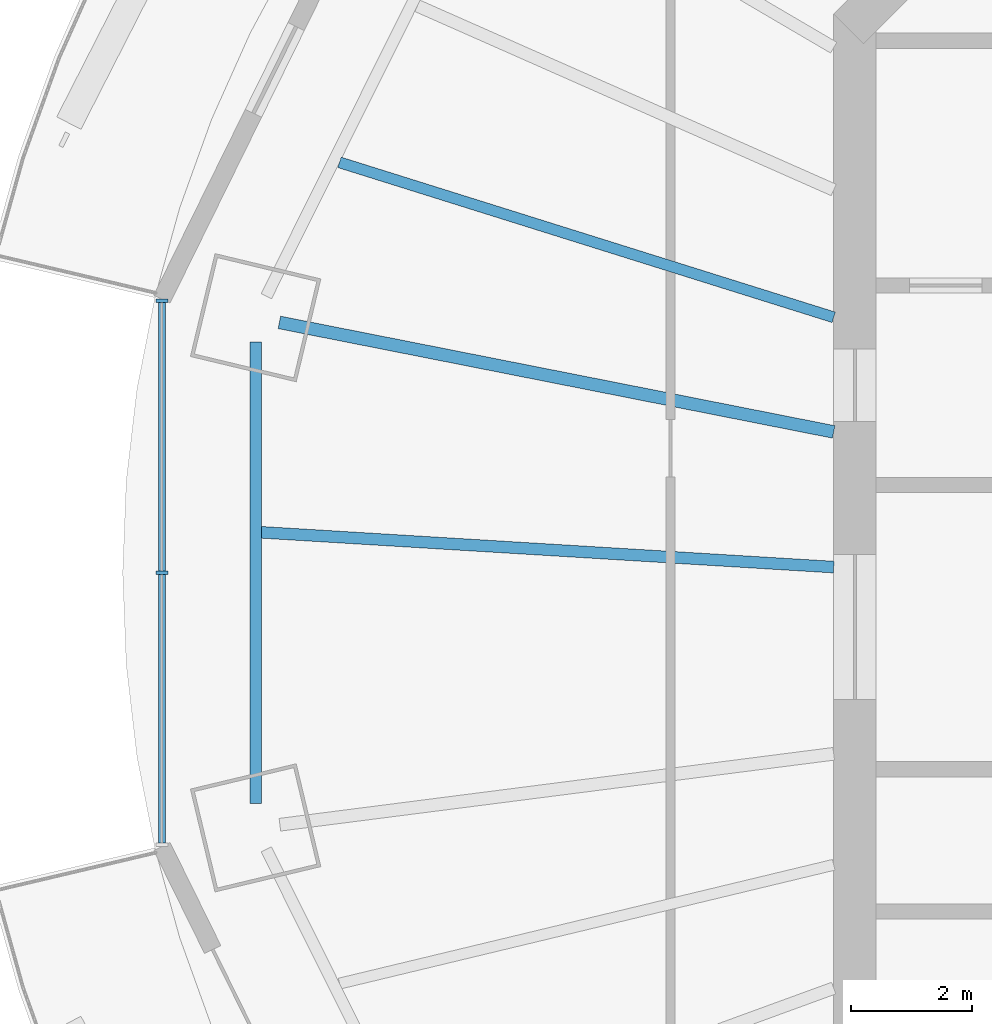
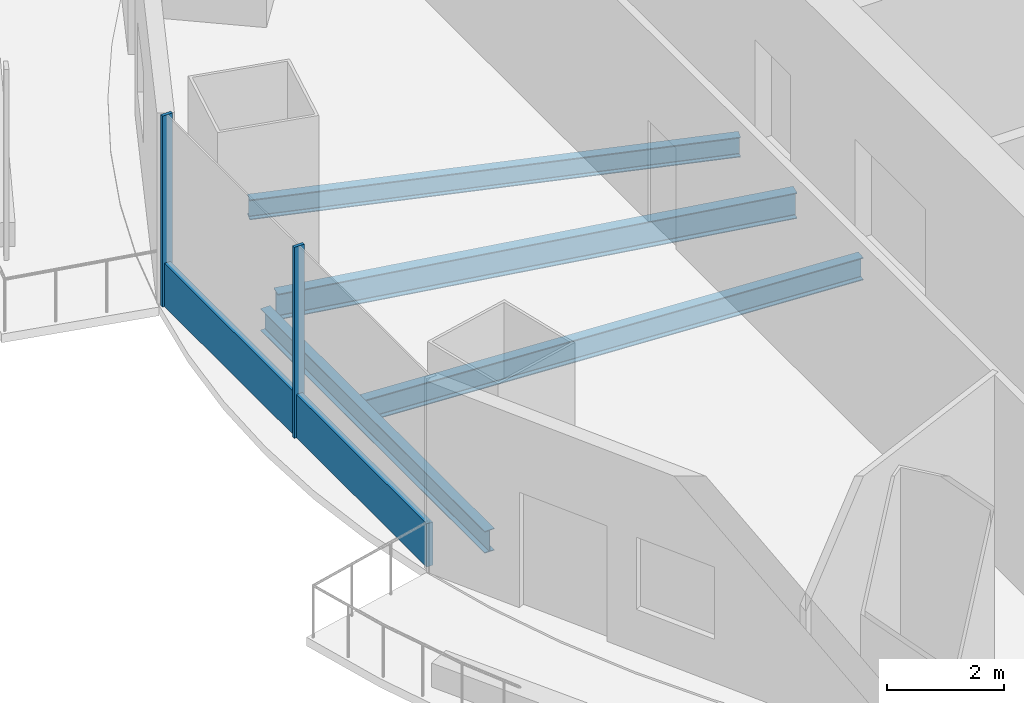
# One storey, part 3 of 16: 4 beams, 3 members, 1 element without a shape of its own.
"""IFC4 building model written with IfcOpenShell, lengths in metres."""

from ifc_helpers import new_model, si_unit, direction, frame, origin, origin_2d, place, context, subcontext, project, spatial, rectangle, i_section, extrude, material, material_profile, profile_set, type_object, element, aggregate, save


model = new_model("IFC4")

# Units and contexts
model_context = context("Model", 3, precision=1e-05, world=origin(), true_north=direction((0.0, 1.0)))
body_context = subcontext(model_context, "Body", "Model", "MODEL_VIEW")
ifc_project = project(units=[si_unit("LENGTHUNIT", "METRE"), si_unit("AREAUNIT", "SQUARE_METRE"), si_unit("VOLUMEUNIT", "CUBIC_METRE"), si_unit("PLANEANGLEUNIT", "RADIAN"), si_unit("MASSUNIT", "GRAM", prefix="KILO")], contexts=[model_context])

# Site, building, storey
site_placement = place(None, origin())
site = spatial("IfcSite", under=ifc_project, at=site_placement, CompositionType="ELEMENT")
building_placement = place(site_placement, origin())
building = spatial("IfcBuilding", under=site, at=building_placement, Name="Marenthal Gate Tower", CompositionType="ELEMENT")
storey_placement = place(building_placement, frame((0.0, 0.0, 326.0)))
storey = spatial("IfcBuildingStorey", under=building, at=storey_placement, Name="L73", CompositionType="ELEMENT", Elevation=326.0)

# Curtain wall, members
ifc_material_1 = material(Name="Aluminium and glass", Category="aluminium")
curtain_wall_type = type_object("IfcCurtainWallType", Name="Curtain wall typical high", PredefinedType="NOTDEFINED", material=ifc_material_1)
curtain_wall_placement = place(storey_placement, origin())
curtain_wall = element("IfcCurtainWall", 1, at=curtain_wall_placement, inside=storey, type_object=curtain_wall_type, Name="Curtain wall L73 bay 8", PredefinedType="NOTDEFINED")
ifc_material_2 = material(Name="Aluminium", Category="aluminium")
ifc_material_profile_1 = material_profile(ifc_material_2, rectangle(XDim=0.199951171875, YDim=0.06005859375, at=origin_2d()), Name="60x200 aluminium mullion")
ifc_profile_set_1 = profile_set([ifc_material_profile_1], Name="Aluminium")
member_type_1 = type_object("IfcMemberType", Name="Mullion 60x200 typical high", PredefinedType="MULLION", material=ifc_profile_set_1)
member_1_placement = place(storey_placement, frame((-27.4619140625, 5.3974609375, 0.0), z_axis=(0.0, 0.0, 1.0), x_axis=(1.0, 0.0, 0.0)))
member_1 = element("IfcMember", 2, at=member_1_placement, type_object=member_type_1, Name="Mullion L73 bay 8.1", PredefinedType="MULLION", context=body_context, shape_type="SweptSolid", body=[
    extrude(rectangle(XDim=0.199951171875, YDim=0.06005859375, at=origin_2d()), origin(), (0.0, 0.0, 1.0), 3.969970703125),
])
member_2_placement = place(storey_placement, frame((-27.4619140625, 0.89990234375, 0.0), z_axis=(0.0, 0.0, 1.0), x_axis=(1.0, 0.0, 0.0)))
member_2 = element("IfcMember", 3, at=member_2_placement, type_object=member_type_1, Name="Mullion L73 bay 8.2", PredefinedType="MULLION", context=body_context, shape_type="SweptSolid", body=[
    extrude(rectangle(XDim=0.199951171875, YDim=0.06005859375, at=origin_2d()), origin(), (0.0, 0.0, 1.0), 3.969970703125),
])
ifc_material_3 = material(Name="Aluminium", Category="aluminium")
ifc_material_profile_2 = material_profile(ifc_material_3, rectangle(XDim=0.1201171875, YDim=0.89990234375, at=origin_2d()), Name="120x900 aluminium transom")
ifc_profile_set_2 = profile_set([ifc_material_profile_2], Name="Aluminium")
member_type_2 = type_object("IfcMemberType", Name="Transom 120x900 typical high", PredefinedType="USERDEFINED", material=ifc_profile_set_2)
member_3_placement = place(storey_placement, frame((-27.4619140625, 5.367431640625, 0.449951171875), z_axis=(0.0, -1.0, 0.0), x_axis=(1.0, 0.0, 0.0)))
member_3 = element("IfcMember", 4, at=member_3_placement, type_object=member_type_2, Name="Transom L73 bay 8", ObjectType="TRANSOM", PredefinedType="USERDEFINED", context=body_context, shape_type="SweptSolid", body=[
    extrude(rectangle(XDim=0.1201171875, YDim=0.89990234375, at=origin_2d()), origin(), (0.0, 0.0, 1.0), 8.934814453125),
])
aggregate(curtain_wall, [member_1, member_2, member_3])

# Beams
ifc_material_4 = material(Name="Steel S355", Category="steel")
ifc_material_profile_3 = material_profile(ifc_material_4, i_section(OverallWidth=0.180908203125, OverallDepth=0.4169921875, WebThickness=0.010986328125, FlangeThickness=0.018310546875, FilletRadius=0.01025390625, at=origin_2d()), Name="W410X85")
ifc_profile_set_3 = profile_set([ifc_material_profile_3], Name="Steel S355")
beam_type_1 = type_object("IfcBeamType", Name="W410X85 beam", PredefinedType="BEAM", material=ifc_profile_set_3)
beam_1_placement = place(storey_placement, frame((-24.525390625, 7.68896484375, -0.388427734375), z_axis=(0.954206790914, -0.299147789853, 0.0), x_axis=(0.299147789853, 0.954206790914, 0.0)))
element("IfcBeam", 5, at=beam_1_placement, inside=storey, type_object=beam_type_1, Name="BM-L73-27", PredefinedType="BEAM", context=body_context, shape_type="SweptSolid", body=[
    extrude(i_section(OverallWidth=0.180908203125, OverallDepth=0.4169921875, WebThickness=0.010986328125, FlangeThickness=0.018310546875, FilletRadius=0.01025390625, at=origin_2d()), origin(), (0.0, 0.0, 1.0), 8.567626953125),
])
ifc_material_5 = material(Name="Steel S355", Category="steel")
ifc_material_profile_4 = material_profile(ifc_material_5, i_section(OverallWidth=0.19091796875, OverallDepth=0.45703125, WebThickness=0.009033203125, FlangeThickness=0.014404296875, FilletRadius=0.01025390625, at=origin_2d()), Name="W460X74")
ifc_profile_set_4 = profile_set([ifc_material_profile_4], Name="Steel S355")
beam_type_2 = type_object("IfcBeamType", Name="W460X74 beam", PredefinedType="BEAM", material=ifc_profile_set_4)
beam_2_placement = place(storey_placement, frame((-25.912109375, 4.719482421875, -0.408447265625), z_axis=(0.0, -1.0, 0.0), x_axis=(1.0, 0.0, 0.0)))
element("IfcBeam", 6, at=beam_2_placement, inside=storey, type_object=beam_type_2, Name="BM-L73-48", PredefinedType="BEAM", context=body_context, shape_type="SweptSolid", body=[
    extrude(i_section(OverallWidth=0.19091796875, OverallDepth=0.45703125, WebThickness=0.009033203125, FlangeThickness=0.014404296875, FilletRadius=0.01025390625, at=origin_2d()), origin(), (0.0, 0.0, 1.0), 7.638916015625),
])
ifc_material_6 = material(Name="Steel S355", Category="steel")
ifc_material_profile_5 = material_profile(ifc_material_6, i_section(OverallWidth=0.193115234375, OverallDepth=0.467041015625, WebThickness=0.011474609375, FlangeThickness=0.01904296875, FilletRadius=0.010009765625, at=origin_2d()), Name="W460X97")
ifc_profile_set_5 = profile_set([ifc_material_profile_5], Name="Steel S355")
beam_type_3 = type_object("IfcBeamType", Name="W460X97 beam", PredefinedType="BEAM", material=ifc_profile_set_5)
beam_3_placement = place(storey_placement, frame((-25.816650390625, 1.5693359375, -0.41357421875), z_axis=(0.998157599477, -0.060674596053, 0.0), x_axis=(0.060674596053, 0.998157599477, 0.0)))
element("IfcBeam", 7, at=beam_3_placement, inside=storey, type_object=beam_type_3, Name="BM-L73-28", PredefinedType="BEAM", context=body_context, shape_type="SweptSolid", body=[
    extrude(i_section(OverallWidth=0.193115234375, OverallDepth=0.467041015625, WebThickness=0.011474609375, FlangeThickness=0.01904296875, FilletRadius=0.010009765625, at=origin_2d()), origin(), (0.0, 0.0, 1.0), 9.484130859375),
])
ifc_material_7 = material(Name="Steel S355", Category="steel")
ifc_material_profile_6 = material_profile(ifc_material_7, i_section(OverallWidth=0.2099609375, OverallDepth=0.535888671875, WebThickness=0.010986328125, FlangeThickness=0.017333984375, FilletRadius=0.0126953125, at=origin_2d()), Name="W530X101")
ifc_profile_set_6 = profile_set([ifc_material_profile_6], Name="Steel S355")
beam_type_4 = type_object("IfcBeamType", Name="W530X101 beam", PredefinedType="BEAM", material=ifc_profile_set_6)
beam_4_placement = place(storey_placement, frame((-25.51904296875, 5.04150390625, -0.447998046875), z_axis=(0.98103613899, -0.193824905509, 0.0), x_axis=(0.193824905509, 0.98103613899, 0.0)))
element("IfcBeam", 8, at=beam_4_placement, inside=storey, type_object=beam_type_4, Name="BM-L73-08", PredefinedType="BEAM", context=body_context, shape_type="SweptSolid", body=[
    extrude(i_section(OverallWidth=0.2099609375, OverallDepth=0.535888671875, WebThickness=0.010986328125, FlangeThickness=0.017333984375, FilletRadius=0.0126953125, at=origin_2d()), origin(), (0.0, 0.0, 1.0), 9.34619140625),
])

save(model, "model.ifc")
